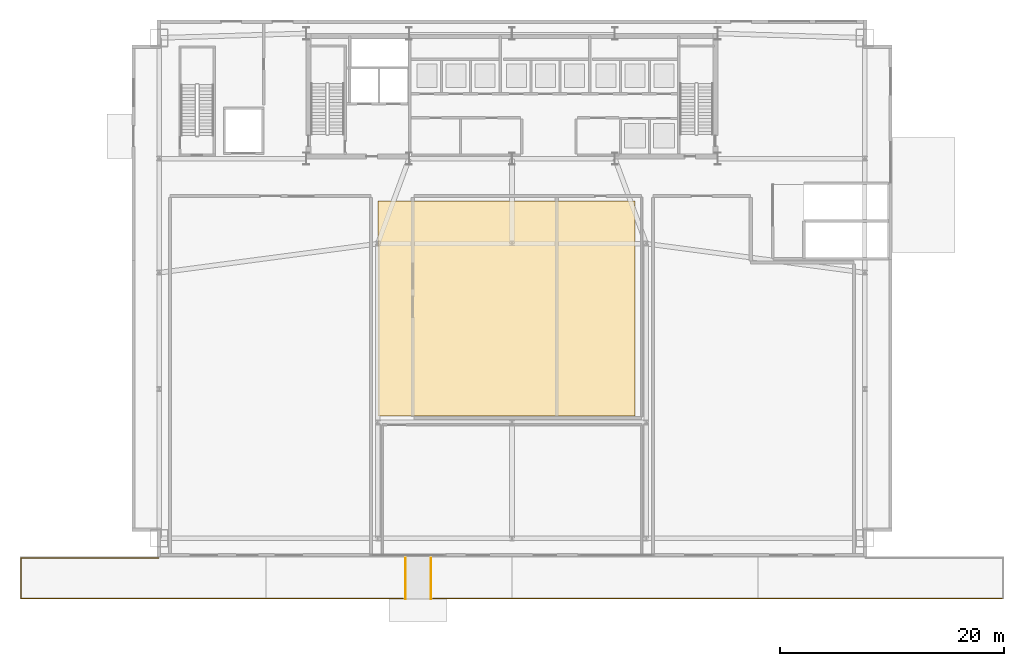
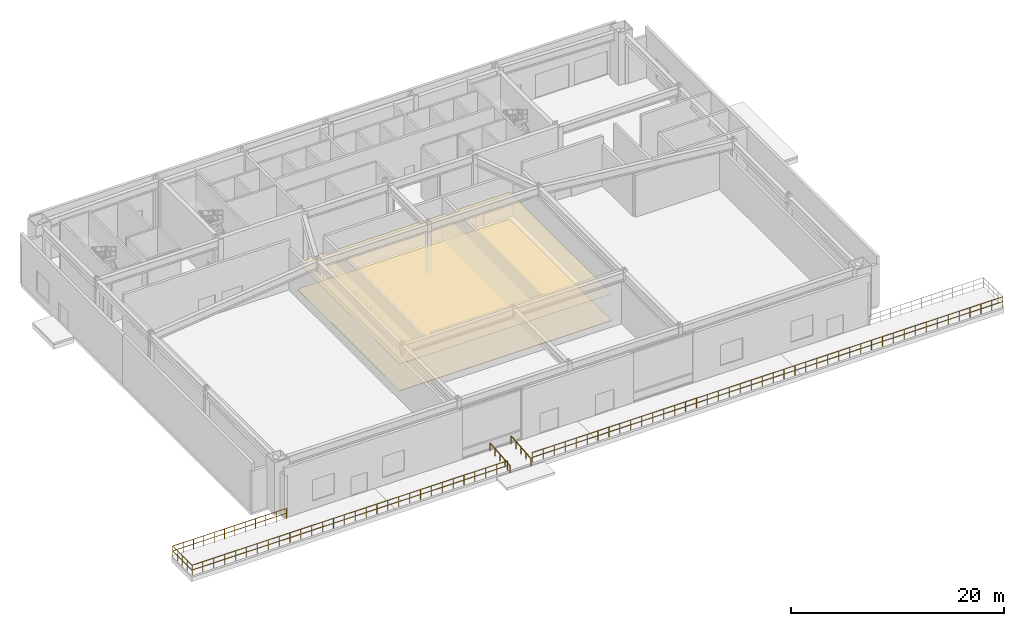
# One storey, part 14 of 17: 6 railings, 2 coverings.
"""IFC4 building model written with IfcOpenShell, lengths in metres."""

from ifc_helpers import new_model, si_unit, direction, frame, origin, origin_2d, place, context, subcontext, project, spatial, polyline, rectangle, outline, extrude, material, layer, layer_set, type_object, element, save


model = new_model("IFC4")

# Units and contexts
model_context = context("Model", 3, precision=1e-05, world=origin(), true_north=direction((0.0, 1.0)))
body_context = subcontext(model_context, "Body", "Model", "MODEL_VIEW")
ifc_project = project(units=[si_unit("LENGTHUNIT", "METRE"), si_unit("AREAUNIT", "SQUARE_METRE"), si_unit("VOLUMEUNIT", "CUBIC_METRE"), si_unit("PLANEANGLEUNIT", "RADIAN"), si_unit("MASSUNIT", "GRAM", prefix="KILO")], contexts=[model_context])

# Site, building, storey
site_placement = place(None, origin())
site = spatial("IfcSite", under=ifc_project, at=site_placement, CompositionType="ELEMENT")
building_placement = place(site_placement, origin())
building = spatial("IfcBuilding", under=site, at=building_placement, Name="Varnel Quay Broadcast Tower", CompositionType="ELEMENT")
storey_placement = place(building_placement, origin())
storey = spatial("IfcBuildingStorey", under=building, at=storey_placement, Name="L00", CompositionType="ELEMENT", Elevation=0.0)

# Coverings
ifc_material_1 = material(Name="Micro-Perforated Acoustic Ceiling Tile")
ifc_layer_1 = layer(ifc_material_1, 0.0400390625, Name="Micro-Perforated Acoustic Ceiling Tile")
ifc_layer_set_1 = layer_set([ifc_layer_1], Name="Micro-Perforated Acoustic Ceiling Tile")
covering_type_1 = type_object("IfcCoveringType", Name="Cov_AcousticCeiling", PredefinedType="CEILING", material=ifc_layer_set_1)
covering_1_placement = place(storey_placement, frame((0.0, 0.0, 3.06005859375)))
element("IfcCovering", 1, at=covering_1_placement, inside=storey, type_object=covering_type_1, Name="L00 Acoustic Suspended Ceiling", PredefinedType="CEILING", context=body_context, shape_type="SweptSolid", body=[
    extrude(outline(polyline([(22.0, 12.60009765625), (45.0, 12.60009765625), (45.0, 31.800048828125), (22.0, 31.800048828125), (22.0, 12.60009765625)])), origin(), (0.0, 0.0, 1.0), 0.0400390625),
])
ifc_material_2 = material(Name="Polished Terrazzo & Broadcast Raised Flooring")
ifc_layer_2 = layer(ifc_material_2, 0.0400390625, Name="Polished Terrazzo & Broadcast Raised Flooring")
ifc_layer_set_2 = layer_set([ifc_layer_2], Name="Polished Terrazzo & Broadcast Raised Flooring")
covering_type_2 = type_object("IfcCoveringType", Name="Cov_TerrazzoFloor", PredefinedType="FLOORING", material=ifc_layer_set_2)
covering_2_placement = place(storey_placement, origin())
element("IfcCovering", 2, at=covering_2_placement, inside=storey, type_object=covering_type_2, Name="L00 Broadcast Raised Terrazzo Flooring", PredefinedType="FLOORING", context=body_context, shape_type="SweptSolid", body=[
    extrude(outline(polyline([(22.0, 12.60009765625), (45.0, 12.60009765625), (45.0, 31.800048828125), (22.0, 31.800048828125), (22.0, 12.60009765625)])), origin(), (0.0, 0.0, 1.0), 0.0400390625),
])

# Railings
ifc_material_3 = material(Name="Anodised Bronze Aluminium 6063-T6", Category="aluminium")
railing_type_1 = type_object("IfcRailingType", Name="Rail_Balustrade1150", PredefinedType="BALUSTRADE", material=ifc_material_3)
railing_1_placement = place(storey_placement, frame((-9.919921875, -3.719970703125, 0.0)))
element("IfcRailing", 3, at=railing_1_placement, inside=storey, type_object=railing_type_1, Name="Quay Promenade Waterfront Guard S1", PredefinedType="BALUSTRADE", context=body_context, shape_type="SweptSolid", body=[
    extrude(rectangle(XDim=0.048095703125, YDim=0.048095703125, at=origin_2d()), frame((0.0, 0.0, 1.1259765625), z_axis=(1.0, 0.0, 0.0), x_axis=(0.0, 1.0, 0.0)), (0.0, 0.0, 1.0), 34.169921875),
    extrude(rectangle(XDim=0.048095703125, YDim=0.048095703125, at=origin_2d()), frame((0.0, 0.0, 0.574951171875), z_axis=(1.0, 0.0, 0.0), x_axis=(0.0, 1.0, 0.0)), (0.0, 0.0, 1.0), 34.169921875),
    extrude(rectangle(XDim=0.0419921875, YDim=0.0419921875, at=origin_2d()), origin(), (0.0, 0.0, 1.0), 1.101806640625),
    extrude(rectangle(XDim=0.0419921875, YDim=0.0419921875, at=origin_2d()), frame((1.17822265625, 0.0, 0.0)), (0.0, 0.0, 1.0), 1.101806640625),
    extrude(rectangle(XDim=0.0419921875, YDim=0.0419921875, at=origin_2d()), frame((2.3564453125, 0.0, 0.0)), (0.0, 0.0, 1.0), 1.101806640625),
    extrude(rectangle(XDim=0.0419921875, YDim=0.0419921875, at=origin_2d()), frame((3.534912109375, 0.0, 0.0)), (0.0, 0.0, 1.0), 1.101806640625),
    extrude(rectangle(XDim=0.0419921875, YDim=0.0419921875, at=origin_2d()), frame((4.713134765625, 0.0, 0.0)), (0.0, 0.0, 1.0), 1.101806640625),
    extrude(rectangle(XDim=0.0419921875, YDim=0.0419921875, at=origin_2d()), frame((5.891357421875, 0.0, 0.0)), (0.0, 0.0, 1.0), 1.101806640625),
    extrude(rectangle(XDim=0.0419921875, YDim=0.0419921875, at=origin_2d()), frame((7.069580078125, 0.0, 0.0)), (0.0, 0.0, 1.0), 1.101806640625),
    extrude(rectangle(XDim=0.0419921875, YDim=0.0419921875, at=origin_2d()), frame((8.247802734375, 0.0, 0.0)), (0.0, 0.0, 1.0), 1.101806640625),
    extrude(rectangle(XDim=0.0419921875, YDim=0.0419921875, at=origin_2d()), frame((9.42626953125, 0.0, 0.0)), (0.0, 0.0, 1.0), 1.101806640625),
    extrude(rectangle(XDim=0.0419921875, YDim=0.0419921875, at=origin_2d()), frame((10.6044921875, 0.0, 0.0)), (0.0, 0.0, 1.0), 1.101806640625),
    extrude(rectangle(XDim=0.0419921875, YDim=0.0419921875, at=origin_2d()), frame((11.78271484375, 0.0, 0.0)), (0.0, 0.0, 1.0), 1.101806640625),
    extrude(rectangle(XDim=0.0419921875, YDim=0.0419921875, at=origin_2d()), frame((12.9609375, 0.0, 0.0)), (0.0, 0.0, 1.0), 1.101806640625),
    extrude(rectangle(XDim=0.0419921875, YDim=0.0419921875, at=origin_2d()), frame((14.13916015625, 0.0, 0.0)), (0.0, 0.0, 1.0), 1.101806640625),
    extrude(rectangle(XDim=0.0419921875, YDim=0.0419921875, at=origin_2d()), frame((15.317626953125, 0.0, 0.0)), (0.0, 0.0, 1.0), 1.101806640625),
    extrude(rectangle(XDim=0.0419921875, YDim=0.0419921875, at=origin_2d()), frame((16.495849609375, 0.0, 0.0)), (0.0, 0.0, 1.0), 1.101806640625),
    extrude(rectangle(XDim=0.0419921875, YDim=0.0419921875, at=origin_2d()), frame((17.674072265625, 0.0, 0.0)), (0.0, 0.0, 1.0), 1.101806640625),
    extrude(rectangle(XDim=0.0419921875, YDim=0.0419921875, at=origin_2d()), frame((18.852294921875, 0.0, 0.0)), (0.0, 0.0, 1.0), 1.101806640625),
    extrude(rectangle(XDim=0.0419921875, YDim=0.0419921875, at=origin_2d()), frame((20.03076171875, 0.0, 0.0)), (0.0, 0.0, 1.0), 1.101806640625),
    extrude(rectangle(XDim=0.0419921875, YDim=0.0419921875, at=origin_2d()), frame((21.208984375, 0.0, 0.0)), (0.0, 0.0, 1.0), 1.101806640625),
    extrude(rectangle(XDim=0.0419921875, YDim=0.0419921875, at=origin_2d()), frame((22.38720703125, 0.0, 0.0)), (0.0, 0.0, 1.0), 1.101806640625),
    extrude(rectangle(XDim=0.0419921875, YDim=0.0419921875, at=origin_2d()), frame((23.5654296875, 0.0, 0.0)), (0.0, 0.0, 1.0), 1.101806640625),
    extrude(rectangle(XDim=0.0419921875, YDim=0.0419921875, at=origin_2d()), frame((24.74365234375, 0.0, 0.0)), (0.0, 0.0, 1.0), 1.101806640625),
    extrude(rectangle(XDim=0.0419921875, YDim=0.0419921875, at=origin_2d()), frame((25.922119140625, 0.0, 0.0)), (0.0, 0.0, 1.0), 1.101806640625),
    extrude(rectangle(XDim=0.0419921875, YDim=0.0419921875, at=origin_2d()), frame((27.100341796875, 0.0, 0.0)), (0.0, 0.0, 1.0), 1.101806640625),
    extrude(rectangle(XDim=0.0419921875, YDim=0.0419921875, at=origin_2d()), frame((28.278564453125, 0.0, 0.0)), (0.0, 0.0, 1.0), 1.101806640625),
    extrude(rectangle(XDim=0.0419921875, YDim=0.0419921875, at=origin_2d()), frame((29.456787109375, 0.0, 0.0)), (0.0, 0.0, 1.0), 1.101806640625),
    extrude(rectangle(XDim=0.0419921875, YDim=0.0419921875, at=origin_2d()), frame((30.635009765625, 0.0, 0.0)), (0.0, 0.0, 1.0), 1.101806640625),
    extrude(rectangle(XDim=0.0419921875, YDim=0.0419921875, at=origin_2d()), frame((31.8134765625, 0.0, 0.0)), (0.0, 0.0, 1.0), 1.101806640625),
    extrude(rectangle(XDim=0.0419921875, YDim=0.0419921875, at=origin_2d()), frame((32.99169921875, 0.0, 0.0)), (0.0, 0.0, 1.0), 1.101806640625),
    extrude(rectangle(XDim=0.0419921875, YDim=0.0419921875, at=origin_2d()), frame((34.169921875, 0.0, 0.0)), (0.0, 0.0, 1.0), 1.101806640625),
])
railing_2_placement = place(storey_placement, frame((26.949951171875, -3.719970703125, 0.0)))
element("IfcRailing", 4, at=railing_2_placement, inside=storey, type_object=railing_type_1, Name="Quay Promenade Waterfront Guard S2", PredefinedType="BALUSTRADE", context=body_context, shape_type="SweptSolid", body=[
    extrude(rectangle(XDim=0.048095703125, YDim=0.048095703125, at=origin_2d()), frame((0.0, 0.0, 1.1259765625), z_axis=(1.0, 0.0, 0.0), x_axis=(0.0, 1.0, 0.0)), (0.0, 0.0, 1.0), 50.969970703125),
    extrude(rectangle(XDim=0.048095703125, YDim=0.048095703125, at=origin_2d()), frame((0.0, 0.0, 0.574951171875), z_axis=(1.0, 0.0, 0.0), x_axis=(0.0, 1.0, 0.0)), (0.0, 0.0, 1.0), 50.969970703125),
    extrude(rectangle(XDim=0.0419921875, YDim=0.0419921875, at=origin_2d()), origin(), (0.0, 0.0, 1.0), 1.101806640625),
    extrude(rectangle(XDim=0.0419921875, YDim=0.0419921875, at=origin_2d()), frame((1.185302734375, 0.0, 0.0)), (0.0, 0.0, 1.0), 1.101806640625),
    extrude(rectangle(XDim=0.0419921875, YDim=0.0419921875, at=origin_2d()), frame((2.37060546875, 0.0, 0.0)), (0.0, 0.0, 1.0), 1.101806640625),
    extrude(rectangle(XDim=0.0419921875, YDim=0.0419921875, at=origin_2d()), frame((3.55615234375, 0.0, 0.0)), (0.0, 0.0, 1.0), 1.101806640625),
    extrude(rectangle(XDim=0.0419921875, YDim=0.0419921875, at=origin_2d()), frame((4.741455078125, 0.0, 0.0)), (0.0, 0.0, 1.0), 1.101806640625),
    extrude(rectangle(XDim=0.0419921875, YDim=0.0419921875, at=origin_2d()), frame((5.9267578125, 0.0, 0.0)), (0.0, 0.0, 1.0), 1.101806640625),
    extrude(rectangle(XDim=0.0419921875, YDim=0.0419921875, at=origin_2d()), frame((7.112060546875, 0.0, 0.0)), (0.0, 0.0, 1.0), 1.101806640625),
    extrude(rectangle(XDim=0.0419921875, YDim=0.0419921875, at=origin_2d()), frame((8.29736328125, 0.0, 0.0)), (0.0, 0.0, 1.0), 1.101806640625),
    extrude(rectangle(XDim=0.0419921875, YDim=0.0419921875, at=origin_2d()), frame((9.482666015625, 0.0, 0.0)), (0.0, 0.0, 1.0), 1.101806640625),
    extrude(rectangle(XDim=0.0419921875, YDim=0.0419921875, at=origin_2d()), frame((10.668212890625, 0.0, 0.0)), (0.0, 0.0, 1.0), 1.101806640625),
    extrude(rectangle(XDim=0.0419921875, YDim=0.0419921875, at=origin_2d()), frame((11.853515625, 0.0, 0.0)), (0.0, 0.0, 1.0), 1.101806640625),
    extrude(rectangle(XDim=0.0419921875, YDim=0.0419921875, at=origin_2d()), frame((13.038818359375, 0.0, 0.0)), (0.0, 0.0, 1.0), 1.101806640625),
    extrude(rectangle(XDim=0.0419921875, YDim=0.0419921875, at=origin_2d()), frame((14.22412109375, 0.0, 0.0)), (0.0, 0.0, 1.0), 1.101806640625),
    extrude(rectangle(XDim=0.0419921875, YDim=0.0419921875, at=origin_2d()), frame((15.409423828125, 0.0, 0.0)), (0.0, 0.0, 1.0), 1.101806640625),
    extrude(rectangle(XDim=0.0419921875, YDim=0.0419921875, at=origin_2d()), frame((16.594970703125, 0.0, 0.0)), (0.0, 0.0, 1.0), 1.101806640625),
    extrude(rectangle(XDim=0.0419921875, YDim=0.0419921875, at=origin_2d()), frame((17.7802734375, 0.0, 0.0)), (0.0, 0.0, 1.0), 1.101806640625),
    extrude(rectangle(XDim=0.0419921875, YDim=0.0419921875, at=origin_2d()), frame((18.965576171875, 0.0, 0.0)), (0.0, 0.0, 1.0), 1.101806640625),
    extrude(rectangle(XDim=0.0419921875, YDim=0.0419921875, at=origin_2d()), frame((20.15087890625, 0.0, 0.0)), (0.0, 0.0, 1.0), 1.101806640625),
    extrude(rectangle(XDim=0.0419921875, YDim=0.0419921875, at=origin_2d()), frame((21.336181640625, 0.0, 0.0)), (0.0, 0.0, 1.0), 1.101806640625),
    extrude(rectangle(XDim=0.0419921875, YDim=0.0419921875, at=origin_2d()), frame((22.521728515625, 0.0, 0.0)), (0.0, 0.0, 1.0), 1.101806640625),
    extrude(rectangle(XDim=0.0419921875, YDim=0.0419921875, at=origin_2d()), frame((23.70703125, 0.0, 0.0)), (0.0, 0.0, 1.0), 1.101806640625),
    extrude(rectangle(XDim=0.0419921875, YDim=0.0419921875, at=origin_2d()), frame((24.892333984375, 0.0, 0.0)), (0.0, 0.0, 1.0), 1.101806640625),
    extrude(rectangle(XDim=0.0419921875, YDim=0.0419921875, at=origin_2d()), frame((26.07763671875, 0.0, 0.0)), (0.0, 0.0, 1.0), 1.101806640625),
    extrude(rectangle(XDim=0.0419921875, YDim=0.0419921875, at=origin_2d()), frame((27.262939453125, 0.0, 0.0)), (0.0, 0.0, 1.0), 1.101806640625),
    extrude(rectangle(XDim=0.0419921875, YDim=0.0419921875, at=origin_2d()), frame((28.4482421875, 0.0, 0.0)), (0.0, 0.0, 1.0), 1.101806640625),
    extrude(rectangle(XDim=0.0419921875, YDim=0.0419921875, at=origin_2d()), frame((29.6337890625, 0.0, 0.0)), (0.0, 0.0, 1.0), 1.101806640625),
    extrude(rectangle(XDim=0.0419921875, YDim=0.0419921875, at=origin_2d()), frame((30.819091796875, 0.0, 0.0)), (0.0, 0.0, 1.0), 1.101806640625),
    extrude(rectangle(XDim=0.0419921875, YDim=0.0419921875, at=origin_2d()), frame((32.00439453125, 0.0, 0.0)), (0.0, 0.0, 1.0), 1.101806640625),
    extrude(rectangle(XDim=0.0419921875, YDim=0.0419921875, at=origin_2d()), frame((33.189697265625, 0.0, 0.0)), (0.0, 0.0, 1.0), 1.101806640625),
    extrude(rectangle(XDim=0.0419921875, YDim=0.0419921875, at=origin_2d()), frame((34.375, 0.0, 0.0)), (0.0, 0.0, 1.0), 1.101806640625),
    extrude(rectangle(XDim=0.0419921875, YDim=0.0419921875, at=origin_2d()), frame((35.560546875, 0.0, 0.0)), (0.0, 0.0, 1.0), 1.101806640625),
    extrude(rectangle(XDim=0.0419921875, YDim=0.0419921875, at=origin_2d()), frame((36.745849609375, 0.0, 0.0)), (0.0, 0.0, 1.0), 1.101806640625),
    extrude(rectangle(XDim=0.0419921875, YDim=0.0419921875, at=origin_2d()), frame((37.93115234375, 0.0, 0.0)), (0.0, 0.0, 1.0), 1.101806640625),
    extrude(rectangle(XDim=0.0419921875, YDim=0.0419921875, at=origin_2d()), frame((39.116455078125, 0.0, 0.0)), (0.0, 0.0, 1.0), 1.101806640625),
    extrude(rectangle(XDim=0.0419921875, YDim=0.0419921875, at=origin_2d()), frame((40.3017578125, 0.0, 0.0)), (0.0, 0.0, 1.0), 1.101806640625),
    extrude(rectangle(XDim=0.0419921875, YDim=0.0419921875, at=origin_2d()), frame((41.4873046875, 0.0, 0.0)), (0.0, 0.0, 1.0), 1.101806640625),
    extrude(rectangle(XDim=0.0419921875, YDim=0.0419921875, at=origin_2d()), frame((42.672607421875, 0.0, 0.0)), (0.0, 0.0, 1.0), 1.101806640625),
    extrude(rectangle(XDim=0.0419921875, YDim=0.0419921875, at=origin_2d()), frame((43.85791015625, 0.0, 0.0)), (0.0, 0.0, 1.0), 1.101806640625),
    extrude(rectangle(XDim=0.0419921875, YDim=0.0419921875, at=origin_2d()), frame((45.043212890625, 0.0, 0.0)), (0.0, 0.0, 1.0), 1.101806640625),
    extrude(rectangle(XDim=0.0419921875, YDim=0.0419921875, at=origin_2d()), frame((46.228515625, 0.0, 0.0)), (0.0, 0.0, 1.0), 1.101806640625),
    extrude(rectangle(XDim=0.0419921875, YDim=0.0419921875, at=origin_2d()), frame((47.413818359375, 0.0, 0.0)), (0.0, 0.0, 1.0), 1.101806640625),
    extrude(rectangle(XDim=0.0419921875, YDim=0.0419921875, at=origin_2d()), frame((48.599365234375, 0.0, 0.0)), (0.0, 0.0, 1.0), 1.101806640625),
    extrude(rectangle(XDim=0.0419921875, YDim=0.0419921875, at=origin_2d()), frame((49.78466796875, 0.0, 0.0)), (0.0, 0.0, 1.0), 1.101806640625),
    extrude(rectangle(XDim=0.0419921875, YDim=0.0419921875, at=origin_2d()), frame((50.969970703125, 0.0, 0.0)), (0.0, 0.0, 1.0), 1.101806640625),
])
railing_3_placement = place(storey_placement, frame((-9.919921875, -3.719970703125, 0.0)))
element("IfcRailing", 5, at=railing_3_placement, inside=storey, type_object=railing_type_1, Name="Quay Promenade West Guard Seg 1", PredefinedType="BALUSTRADE", context=body_context, shape_type="SweptSolid", body=[
    extrude(rectangle(XDim=0.048095703125, YDim=0.048095703125, at=origin_2d()), frame((0.0, 0.0, 1.1259765625), z_axis=(0.0, 1.0, 0.0), x_axis=(-1.0, 0.0, 0.0)), (0.0, 0.0, 1.0), 3.619873046875),
    extrude(rectangle(XDim=0.048095703125, YDim=0.048095703125, at=origin_2d()), frame((0.0, 0.0, 0.574951171875), z_axis=(0.0, 1.0, 0.0), x_axis=(-1.0, 0.0, 0.0)), (0.0, 0.0, 1.0), 3.619873046875),
    extrude(rectangle(XDim=0.0419921875, YDim=0.0419921875, at=origin_2d()), origin(), (0.0, 0.0, 1.0), 1.101806640625),
    extrude(rectangle(XDim=0.0419921875, YDim=0.0419921875, at=origin_2d()), frame((0.0, 0.905029296875, 0.0)), (0.0, 0.0, 1.0), 1.101806640625),
    extrude(rectangle(XDim=0.0419921875, YDim=0.0419921875, at=origin_2d()), frame((0.0, 1.81005859375, 0.0)), (0.0, 0.0, 1.0), 1.101806640625),
    extrude(rectangle(XDim=0.0419921875, YDim=0.0419921875, at=origin_2d()), frame((0.0, 2.71484375, 0.0)), (0.0, 0.0, 1.0), 1.101806640625),
    extrude(rectangle(XDim=0.0419921875, YDim=0.0419921875, at=origin_2d()), frame((0.0, 3.619873046875, 0.0)), (0.0, 0.0, 1.0), 1.101806640625),
])
railing_4_placement = place(storey_placement, frame((-9.919921875, -0.10009765625, 0.0)))
element("IfcRailing", 6, at=railing_4_placement, inside=storey, type_object=railing_type_1, Name="Quay Promenade West Guard Seg 2", PredefinedType="BALUSTRADE", context=body_context, shape_type="SweptSolid", body=[
    extrude(rectangle(XDim=0.048095703125, YDim=0.048095703125, at=origin_2d()), frame((0.0, 0.0, 1.1259765625), z_axis=(1.0, 0.0, 0.0), x_axis=(0.0, 1.0, 0.0)), (0.0, 0.0, 1.0), 12.31982421875),
    extrude(rectangle(XDim=0.048095703125, YDim=0.048095703125, at=origin_2d()), frame((0.0, 0.0, 0.574951171875), z_axis=(1.0, 0.0, 0.0), x_axis=(0.0, 1.0, 0.0)), (0.0, 0.0, 1.0), 12.31982421875),
    extrude(rectangle(XDim=0.0419921875, YDim=0.0419921875, at=origin_2d()), origin(), (0.0, 0.0, 1.0), 1.101806640625),
    extrude(rectangle(XDim=0.0419921875, YDim=0.0419921875, at=origin_2d()), frame((1.119873046875, 0.0, 0.0)), (0.0, 0.0, 1.0), 1.101806640625),
    extrude(rectangle(XDim=0.0419921875, YDim=0.0419921875, at=origin_2d()), frame((2.239990234375, 0.0, 0.0)), (0.0, 0.0, 1.0), 1.101806640625),
    extrude(rectangle(XDim=0.0419921875, YDim=0.0419921875, at=origin_2d()), frame((3.35986328125, 0.0, 0.0)), (0.0, 0.0, 1.0), 1.101806640625),
    extrude(rectangle(XDim=0.0419921875, YDim=0.0419921875, at=origin_2d()), frame((4.47998046875, 0.0, 0.0)), (0.0, 0.0, 1.0), 1.101806640625),
    extrude(rectangle(XDim=0.0419921875, YDim=0.0419921875, at=origin_2d()), frame((5.599853515625, 0.0, 0.0)), (0.0, 0.0, 1.0), 1.101806640625),
    extrude(rectangle(XDim=0.0419921875, YDim=0.0419921875, at=origin_2d()), frame((6.719970703125, 0.0, 0.0)), (0.0, 0.0, 1.0), 1.101806640625),
    extrude(rectangle(XDim=0.0419921875, YDim=0.0419921875, at=origin_2d()), frame((7.83984375, 0.0, 0.0)), (0.0, 0.0, 1.0), 1.101806640625),
    extrude(rectangle(XDim=0.0419921875, YDim=0.0419921875, at=origin_2d()), frame((8.9599609375, 0.0, 0.0)), (0.0, 0.0, 1.0), 1.101806640625),
    extrude(rectangle(XDim=0.0419921875, YDim=0.0419921875, at=origin_2d()), frame((10.079833984375, 0.0, 0.0)), (0.0, 0.0, 1.0), 1.101806640625),
    extrude(rectangle(XDim=0.0419921875, YDim=0.0419921875, at=origin_2d()), frame((11.199951171875, 0.0, 0.0)), (0.0, 0.0, 1.0), 1.101806640625),
    extrude(rectangle(XDim=0.0419921875, YDim=0.0419921875, at=origin_2d()), frame((12.31982421875, 0.0, 0.0)), (0.0, 0.0, 1.0), 1.101806640625),
])
railing_type_2 = type_object("IfcRailingType", Name="Rail_RampHandrail900", PredefinedType="HANDRAIL", material=ifc_material_3)
for number, where, name in (
    (7, (24.4599609375, -3.800048828125, -0.300048828125), "Promenade Ramp W Handrail"),
    (8, (26.739990234375, -3.800048828125, -0.300048828125), "Promenade Ramp E Handrail"),
):
    element("IfcRailing", number, at=place(storey_placement, frame(where)), inside=storey, type_object=railing_type_2, Name=name, PredefinedType="HANDRAIL", context=body_context, shape_type="SweptSolid", body=[
        extrude(rectangle(XDim=0.048095703125, YDim=0.048095703125, at=origin_2d()), frame((0.0, 0.0, 0.8759765625), z_axis=(0.0, 0.996727902547, 0.080829996188), x_axis=(-1.0, 0.0, 0.0)), (0.0, 0.0, 1.0), 3.712158203125),
        extrude(rectangle(XDim=0.0419921875, YDim=0.0419921875, at=origin_2d()), origin(), (0.0, 0.0, 1.0), 0.851806640625),
        extrude(rectangle(XDim=0.0419921875, YDim=0.0419921875, at=origin_2d()), frame((0.0, 0.925048828125, 0.074951171875)), (0.0, 0.0, 1.0), 0.851806640625),
        extrude(rectangle(XDim=0.0419921875, YDim=0.0419921875, at=origin_2d()), frame((0.0, 1.85009765625, 0.14990234375)), (0.0, 0.0, 1.0), 0.851806640625),
        extrude(rectangle(XDim=0.0419921875, YDim=0.0419921875, at=origin_2d()), frame((0.0, 2.77490234375, 0.22509765625)), (0.0, 0.0, 1.0), 0.851806640625),
        extrude(rectangle(XDim=0.0419921875, YDim=0.0419921875, at=origin_2d()), frame((0.0, 3.699951171875, 0.300048828125)), (0.0, 0.0, 1.0), 0.851806640625),
    ])

save(model, "model.ifc")
